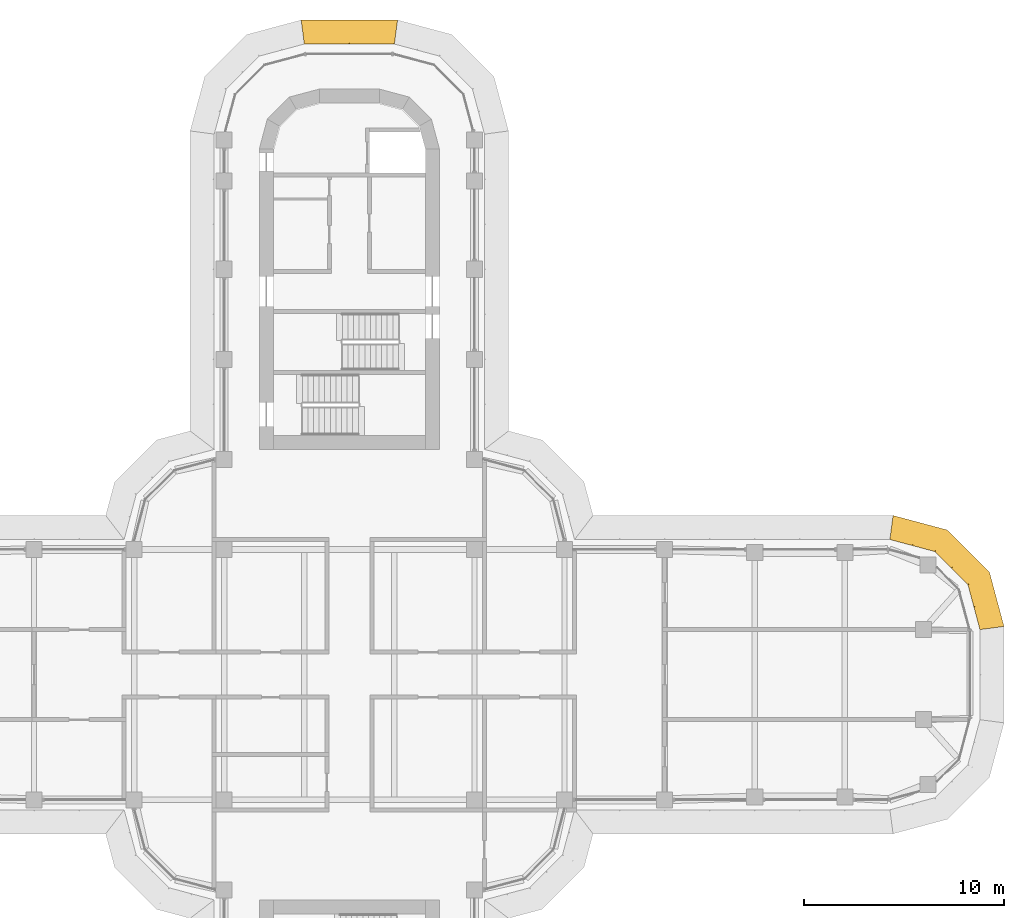
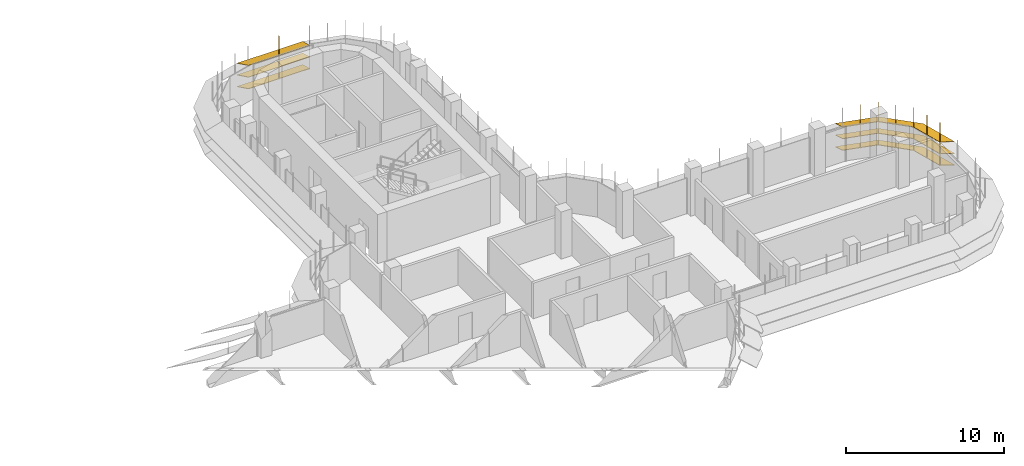
# One storey, part 19 of 19: 2 shading devices.
"""IFC4 building model written with IfcOpenShell, lengths in metres."""

import ifcopenshell
import ifcopenshell.guid

model = None  # the IFC model being written
_history = None  # IfcOwnerHistory: only IFC2X3 demands one
_inside = {}  # id of a spatial element -> (the spatial element, [elements in it])
_under = {}  # id of a project, library or spatial element -> (it, [spatial elements below it])
_declared = {}  # id of a project -> (the project, [libraries it declares])
_typed = {}  # id of a type object -> (the type object, [elements of that type])
_made_of = {}  # id of a material, layer set ... -> (it, [elements and type objects made of it])


def new_model(schema):
    """Start an empty IFC model of exactly this schema.

    Asked for "IFC4X3", IfcOpenShell would pick the latest addendum, in which some entities
    have other attributes; the version numbers below select the first issue.
    IFC2X3 requires an IfcOwnerHistory on every rooted entity: one is made here for all.
    """
    global model, _history
    if schema == "IFC4X3":
        model = ifcopenshell.file(schema_version=(4, 3, 0, 0))
    else:
        model = ifcopenshell.file(schema=schema)
    _inside.clear()
    _under.clear()
    _declared.clear()
    _typed.clear()
    _made_of.clear()
    _history = None
    if model.schema == "IFC2X3":
        org = make("IfcOrganization", Name="unknown")
        user = make(
            "IfcPersonAndOrganization",
            ThePerson=make("IfcPerson", FamilyName="unknown"),
            TheOrganization=org,
        )
        app = make(
            "IfcApplication",
            ApplicationDeveloper=org,
            Version="unknown",
            ApplicationFullName="unknown",
            ApplicationIdentifier="unknown",
        )
        _history = make(
            "IfcOwnerHistory",
            OwningUser=user,
            OwningApplication=app,
            ChangeAction="ADDED",
            CreationDate=0,
        )
    return model


def make(cls, **values):
    """One entity of the class cls with the attributes given. An attribute that is None is left unset."""
    return model.create_entity(
        cls, **{name: value for name, value in values.items() if value is not None}
    )


def rooted(cls, **values):
    """An entity with a GlobalId (a new one), such as an element, a storey or a relation."""
    return make(cls, GlobalId=ifcopenshell.guid.new(), OwnerHistory=_history, **values)


def si_unit(unit_type, name, prefix=None):
    """IfcSIUnit, for example si_unit("LENGTHUNIT", "METRE", prefix="MILLI")."""
    return make("IfcSIUnit", UnitType=unit_type, Prefix=prefix, Name=name)


def assignment(units):
    """IfcUnitAssignment: the units of a project."""
    return None if units is None else make("IfcUnitAssignment", Units=units)


def point(xyz):
    """IfcCartesianPoint."""
    return None if xyz is None else make("IfcCartesianPoint", Coordinates=xyz)


def direction(xyz):
    """IfcDirection."""
    return None if xyz is None else make("IfcDirection", DirectionRatios=xyz)


def frame(location, z_axis=None, x_axis=None):
    """IfcAxis2Placement3D, a coordinate frame: its origin and axes. An axis left out is left unset."""
    return make(
        "IfcAxis2Placement3D",
        Location=point(location),
        Axis=direction(z_axis),
        RefDirection=direction(x_axis),
    )


def origin():
    """The frame at (0, 0, 0) with its axes left unset."""
    return frame((0.0, 0.0, 0.0))


def place(relative_to, where):
    """IfcLocalPlacement: puts the frame where relative to a parent placement (None: the world)."""
    return make(
        "IfcLocalPlacement", PlacementRelTo=relative_to, RelativePlacement=where
    )


def context(
    kind, dimensions, precision=None, world=None, true_north=None, identifier=None
):
    """IfcGeometricRepresentationContext, for example the 3D "Model" context."""
    return make(
        "IfcGeometricRepresentationContext",
        ContextIdentifier=identifier,
        ContextType=kind,
        CoordinateSpaceDimension=dimensions,
        Precision=precision,
        WorldCoordinateSystem=world,
        TrueNorth=true_north,
    )


def subcontext(parent, identifier, kind, view, scale=None):
    """IfcGeometricRepresentationSubContext, for example "Body" below "Model"."""
    return make(
        "IfcGeometricRepresentationSubContext",
        ContextIdentifier=identifier,
        ContextType=kind,
        ParentContext=parent,
        TargetScale=scale,
        TargetView=view,
    )


def project(units=None, contexts=None):
    """IfcProject with its units and contexts."""
    return rooted(
        "IfcProject",
        Name="project",
        RepresentationContexts=contexts,
        UnitsInContext=assignment(units),
    )


def spatial(cls, under=None, at=None, **own):
    """A site, building, storey or space (cls), placed at a placement, below another one or the project."""
    s = rooted(cls, ObjectPlacement=at, **own)
    if under is not None:
        _under.setdefault(under.id(), (under, []))[1].append(s)
    return s


def polyline(points):
    """IfcPolyline through the points."""
    return make("IfcPolyline", Points=[point(p) for p in points])


def outline(outer, holes=None, kind="AREA"):
    """IfcArbitraryClosedProfileDef: a profile drawn as a closed curve; with holes, ...WithVoids."""
    if holes is None:
        return make("IfcArbitraryClosedProfileDef", ProfileType=kind, OuterCurve=outer)
    return make(
        "IfcArbitraryProfileDefWithVoids",
        ProfileType=kind,
        OuterCurve=outer,
        InnerCurves=holes,
    )


def extrude(swept, where, along, depth):
    """IfcExtrudedAreaSolid: the profile swept, set in the frame where, extruded along a direction by depth."""
    return make(
        "IfcExtrudedAreaSolid",
        SweptArea=swept,
        Position=where,
        ExtrudedDirection=direction(along),
        Depth=depth,
    )


def faces_of(points, faces, orient=None, outer=None):
    """IfcFace entities. A face is a list of loops; a loop is a list of indices into points, from 0.

    orient and outer hold one flag for each loop. By default every Orientation is true, the
    first loop of a face is its IfcFaceOuterBound and the others are IfcFaceBound.
    """
    made = []
    for i, loops in enumerate(faces):
        bounds = []
        for j, loop in enumerate(loops):
            is_outer = j == 0 if outer is None else outer[i][j]
            bounds.append(
                make(
                    "IfcFaceOuterBound" if is_outer else "IfcFaceBound",
                    Bound=make("IfcPolyLoop", Polygon=[points[k] for k in loop]),
                    Orientation=True if orient is None else orient[i][j],
                )
            )
        made.append(make("IfcFace", Bounds=bounds))
    return made


def faceted_brep(points, faces, orient=None, outer=None, voids=None):
    """IfcFacetedBrep: a solid bounded by flat faces; with voids (closed shells), ...WithVoids."""
    shared = [point(p) for p in points]
    hull = make("IfcClosedShell", CfsFaces=faces_of(shared, faces, orient, outer))
    if voids is None:
        return make("IfcFacetedBrep", Outer=hull)
    return make(
        "IfcFacetedBrepWithVoids",
        Outer=hull,
        Voids=[
            make(cls, CfsFaces=faces_of(shared, fs, o, b)) for cls, fs, o, b in voids
        ],
    )


def shape(context_of_items, identifier, shape_type, items):
    """IfcShapeRepresentation: the items that make up one representation, for example the "Body"."""
    return make(
        "IfcShapeRepresentation",
        ContextOfItems=context_of_items,
        RepresentationIdentifier=identifier,
        RepresentationType=shape_type,
        Items=items,
    )


def source(mapping_origin, context_of_items, identifier, shape_type, items):
    """IfcRepresentationMap: a shape defined once, which mapped items show again and again."""
    return make(
        "IfcRepresentationMap",
        MappingOrigin=mapping_origin,
        MappedRepresentation=shape(context_of_items, identifier, shape_type, items),
    )


def transform(
    local_origin,
    x_axis=None,
    y_axis=None,
    z_axis=None,
    scale=None,
    scale2=None,
    scale3=None,
    uniform=True,
):
    """IfcCartesianTransformationOperator3D, or its non-uniform kind. x_axis, y_axis, z_axis: its Axis1, 2, 3."""
    if uniform:
        return make(
            "IfcCartesianTransformationOperator3D",
            Axis1=direction(x_axis),
            Axis2=direction(y_axis),
            LocalOrigin=point(local_origin),
            Scale=scale,
            Axis3=direction(z_axis),
        )
    return make(
        "IfcCartesianTransformationOperator3DnonUniform",
        Axis1=direction(x_axis),
        Axis2=direction(y_axis),
        LocalOrigin=point(local_origin),
        Scale=scale,
        Axis3=direction(z_axis),
        Scale2=scale2,
        Scale3=scale3,
    )


def mapped(mapping_source, mapping_target):
    """IfcMappedItem: shows the shape of a source again, moved by a transform."""
    return make(
        "IfcMappedItem", MappingSource=mapping_source, MappingTarget=mapping_target
    )


def material(Name=None, Category=None):
    """IfcMaterial."""
    return make("IfcMaterial", Name=Name, Category=Category)


def made_of(thing, what):
    """Note that an element or type object is made of a material, layer set ...; save() writes the relation."""
    if what is not None:
        _made_of.setdefault(what.id(), (what, []))[1].append(thing)
    return thing


def type_object(cls, material=None, **own):
    """A type object (cls), such as IfcWallType, which elements share."""
    return made_of(rooted(cls, **own), material)


def element(
    cls,
    number,
    at=None,
    inside=None,
    cuts=None,
    type_object=None,
    material=None,
    context=None,
    identifier="Body",
    shape_type=None,
    held_by="IfcProductDefinitionShape",
    body=None,
    shapes=None,
    **own,
):
    """One element of the class cls, such as IfcWall. Its Tag is "e" and its number.

    at: its placement. inside: the storey or other place that contains it. cuts: it is an
    opening in that element (IfcRelVoidsElement). A single representation is given by context,
    identifier, shape_type and body (its items); several are given by shapes. held_by: the class
    of the entity that holds the representations. save() writes the other relations.
    """
    e = rooted(cls, Tag="e%d" % number, ObjectPlacement=at, **own)
    if body is not None:
        shapes = [shape(context, identifier, shape_type, body)]
    if shapes is not None:
        e.Representation = make(held_by, Representations=shapes)
    if inside is not None:
        _inside.setdefault(inside.id(), (inside, []))[1].append(e)
    if cuts is not None:
        rooted(
            "IfcRelVoidsElement", RelatingBuildingElement=cuts, RelatedOpeningElement=e
        )
    if type_object is not None:
        _typed.setdefault(type_object.id(), (type_object, []))[1].append(e)
    return made_of(e, material)


def aggregate(whole, parts):
    """IfcRelAggregates: a whole, such as a stair, and the parts it consists of."""
    return rooted("IfcRelAggregates", RelatingObject=whole, RelatedObjects=parts)


def save(model, path):
    """Write the relations noted so far, then the file.

    IfcRelAggregates (storeys below a building ...), IfcRelContainedInSpatialStructure (elements
    in a storey), IfcRelDefinesByType, IfcRelAssociatesMaterial and IfcRelDeclares: one each for
    every whole, place, type object, material and project.
    """
    for whole, parts in _under.values():
        aggregate(whole, parts)
    for where, things in _inside.values():
        rooted(
            "IfcRelContainedInSpatialStructure",
            RelatedElements=things,
            RelatingStructure=where,
        )
    for kind, things in _typed.values():
        rooted("IfcRelDefinesByType", RelatedObjects=things, RelatingType=kind)
    for what, things in _made_of.values():
        rooted("IfcRelAssociatesMaterial", RelatedObjects=things, RelatingMaterial=what)
    for by, libraries in _declared.values():
        rooted("IfcRelDeclares", RelatingContext=by, RelatedDefinitions=libraries)
    model.write(path)


model = new_model("IFC4")

# Units and contexts
model_context = context("Model", 3, precision=1e-05, world=origin(), true_north=direction((0.0, 1.0)))
body_context = subcontext(model_context, "Body", "Model", "MODEL_VIEW")
ifc_project = project(units=[si_unit("LENGTHUNIT", "METRE"), si_unit("AREAUNIT", "SQUARE_METRE"), si_unit("VOLUMEUNIT", "CUBIC_METRE"), si_unit("PLANEANGLEUNIT", "RADIAN"), si_unit("MASSUNIT", "GRAM", prefix="KILO")], contexts=[model_context])

# Site, building, storey
site_placement = place(None, origin())
site = spatial("IfcSite", under=ifc_project, at=site_placement, CompositionType="ELEMENT")
building_placement = place(site_placement, origin())
building = spatial("IfcBuilding", under=site, at=building_placement, Name="Zarbagh Exchange Tower", CompositionType="ELEMENT")
storey_placement = place(building_placement, frame((0.0, 0.0, 171.39990234375)))
storey = spatial("IfcBuildingStorey", under=building, at=storey_placement, Name="L41", CompositionType="ELEMENT", Elevation=171.39990234375)

# Shading devices
ifc_material = material(Name="Anodised aluminium blades and brackets", Category="aluminium")
shading_device_type = type_object("IfcShadingDeviceType", Name="SUNSHADE louvre band, 22.5 degree blades", PredefinedType="JALOUSIE", material=ifc_material)
shared_shape_1 = source(origin(), body_context, "Body", "Brep", [
    faceted_brep([(0.0, 0.0, 0.0), (0.0, 0.0, -0.043212890625), (-0.157958984375, -1.199951171875, -0.540283203125), (-0.157958984375, -1.199951171875, -0.4970703125), (2.65087890625, -1.199951171875, -0.4970703125), (2.65087890625, -1.199951171875, -0.540283203125), (2.329345703125, 0.0, -0.043212890625), (2.329345703125, 0.0, 0.0)], [[[0, 1, 2, 3]], [[4, 5, 6, 7]], [[0, 7, 6, 1]], [[1, 6, 5, 2]], [[2, 5, 4, 3]], [[3, 4, 7, 0]]]),
])
shared_shape_2 = source(origin(), body_context, "Body", "Brep", [
    faceted_brep([(0.0, 0.0, 0.0), (0.0, 0.0, -0.043212890625), (-0.321533203125, -1.199951171875, -0.540283203125), (-0.321533203125, -1.199951171875, -0.4970703125), (2.65087890625, -1.199951171875, -0.4970703125), (2.65087890625, -1.199951171875, -0.540283203125), (2.329345703125, 0.0, -0.043212890625), (2.329345703125, 0.0, 0.0)], [[[0, 1, 2, 3]], [[4, 5, 6, 7]], [[0, 7, 6, 1]], [[1, 6, 5, 2]], [[2, 5, 4, 3]], [[3, 4, 7, 0]]]),
])
shared_shape_3 = source(origin(), body_context, "Body", "Brep", [
    faceted_brep([(0.0, 0.0, 0.0), (0.0, 0.0, -0.043212890625), (-0.321533203125, -1.199951171875, -0.540283203125), (-0.321533203125, -1.199951171875, -0.4970703125), (2.4873046875, -1.199951171875, -0.4970703125), (2.4873046875, -1.199951171875, -0.540283203125), (2.329345703125, 0.0, -0.043212890625), (2.329345703125, 0.0, 0.0)], [[[0, 1, 2, 3]], [[4, 5, 6, 7]], [[0, 7, 6, 1]], [[1, 6, 5, 2]], [[2, 5, 4, 3]], [[3, 4, 7, 0]]]),
])
shared_shape_4 = source(origin(), body_context, "Body", "SweptSolid", [
    extrude(outline(polyline([(0.0, -0.012451171875), (0.06005859375, -0.012451171875), (0.06005859375, 0.012451171875), (0.0, 0.012451171875), (0.0, -0.012451171875)])), origin(), (0.0, 0.0, 1.0), 3.353271484375),
])
placement = place(storey_placement, origin())
element("IfcShadingDevice", 1, at=placement, inside=storey, type_object=shading_device_type, Name="SS33 sunshade band", PredefinedType="JALOUSIE", context=body_context, shape_type="MappedRepresentation", body=[
    mapped(shared_shape_1, transform((31.5, 2.25, 2.300048828125), x_axis=(-0.258824779902, 0.965924289636, 0.0), y_axis=(-0.965924289636, -0.258824779902, 0.0), z_axis=(0.0, 0.0, 1.0))),
    mapped(shared_shape_1, transform((31.5, 2.25, 1.400146484375), x_axis=(-0.258824779902, 0.965924289636, 0.0), y_axis=(-0.965924289636, -0.258824779902, 0.0), z_axis=(0.0, 0.0, 1.0))),
    mapped(shared_shape_1, transform((31.5, 2.25, 0.5), x_axis=(-0.258824779902, 0.965924289636, 0.0), y_axis=(-0.965924289636, -0.258824779902, 0.0), z_axis=(0.0, 0.0, 1.0))),
    mapped(shared_shape_2, transform((30.897216796875, 4.5, 2.300048828125), x_axis=(-0.707106781187, 0.707106781187, 0.0), y_axis=(-0.707106781187, -0.707106781187, 0.0), z_axis=(0.0, 0.0, 1.0))),
    mapped(shared_shape_2, transform((30.897216796875, 4.5, 1.400146484375), x_axis=(-0.707106781187, 0.707106781187, 0.0), y_axis=(-0.707106781187, -0.707106781187, 0.0), z_axis=(0.0, 0.0, 1.0))),
    mapped(shared_shape_2, transform((30.897216796875, 4.5, 0.5), x_axis=(-0.707106781187, 0.707106781187, 0.0), y_axis=(-0.707106781187, -0.707106781187, 0.0), z_axis=(0.0, 0.0, 1.0))),
    mapped(shared_shape_3, transform((29.25, 6.147216796875, 2.300048828125), x_axis=(-0.965924289636, 0.258824779902, 0.0), y_axis=(-0.258824779902, -0.965924289636, 0.0), z_axis=(0.0, 0.0, 1.0))),
    mapped(shared_shape_3, transform((29.25, 6.147216796875, 1.400146484375), x_axis=(-0.965924289636, 0.258824779902, 0.0), y_axis=(-0.258824779902, -0.965924289636, 0.0), z_axis=(0.0, 0.0, 1.0))),
    mapped(shared_shape_3, transform((29.25, 6.147216796875, 0.5), x_axis=(-0.965924289636, 0.258824779902, 0.0), y_axis=(-0.258824779902, -0.965924289636, 0.0), z_axis=(0.0, 0.0, 1.0))),
    mapped(shared_shape_4, transform((31.5, 2.25, 0.4267578125), x_axis=(0.991444457092, 0.130529263012, 0.0), y_axis=(-0.130529263012, 0.991444457092, 0.0), z_axis=(0.0, 0.0, 1.0))),
    mapped(shared_shape_4, transform((31.198486328125, 3.375, 0.4267578125), x_axis=(0.96592421511, 0.258825058029, 0.0), y_axis=(-0.258825058029, 0.96592421511, 0.0), z_axis=(0.0, 0.0, 1.0))),
    mapped(shared_shape_4, transform((30.897216796875, 4.5, 0.4267578125), x_axis=(0.866023812018, 0.50000275701, 0.0), y_axis=(-0.50000275701, 0.866023812018, 0.0), z_axis=(0.0, 0.0, 1.0))),
    mapped(shared_shape_4, transform((30.073486328125, 5.323486328125, 0.4267578125), x_axis=(0.707106781187, 0.707106781187, 0.0), y_axis=(-0.707106781187, 0.707106781187, 0.0), z_axis=(0.0, 0.0, 1.0))),
    mapped(shared_shape_4, transform((29.25, 6.147216796875, 0.4267578125), x_axis=(0.50000275701, 0.866023812018, 0.0), y_axis=(-0.866023812018, 0.50000275701, 0.0), z_axis=(0.0, 0.0, 1.0))),
    mapped(shared_shape_4, transform((28.125, 6.448486328125, 0.4267578125), x_axis=(0.258825058029, 0.96592421511, 0.0), y_axis=(-0.96592421511, 0.258825058029, 0.0), z_axis=(0.0, 0.0, 1.0))),
])
shared_shape_5 = source(origin(), body_context, "Body", "Brep", [
    faceted_brep([(0.0, 0.0, 0.0), (0.0, 0.0, -0.043212890625), (-0.157958984375, -1.199951171875, -0.540283203125), (-0.157958984375, -1.199951171875, -0.4970703125), (4.657958984375, -1.199951171875, -0.4970703125), (4.657958984375, -1.199951171875, -0.540283203125), (4.5, 0.0, -0.043212890625), (4.5, 0.0, 0.0)], [[[0, 1, 2, 3]], [[4, 5, 6, 7]], [[0, 7, 6, 1]], [[1, 6, 5, 2]], [[2, 5, 4, 3]], [[3, 4, 7, 0]]]),
])
element("IfcShadingDevice", 2, at=placement, inside=storey, type_object=shading_device_type, Name="SS27 sunshade band", PredefinedType="JALOUSIE", context=body_context, shape_type="MappedRepresentation", body=[
    mapped(shared_shape_5, transform((2.25, 31.5, 2.300048828125), x_axis=(-1.0, 0.0, 0.0), y_axis=(0.0, -1.0, 0.0), z_axis=(0.0, 0.0, 1.0))),
    mapped(shared_shape_5, transform((2.25, 31.5, 1.400146484375), x_axis=(-1.0, 0.0, 0.0), y_axis=(0.0, -1.0, 0.0), z_axis=(0.0, 0.0, 1.0))),
    mapped(shared_shape_5, transform((2.25, 31.5, 0.5), x_axis=(-1.0, 0.0, 0.0), y_axis=(0.0, -1.0, 0.0), z_axis=(0.0, 0.0, 1.0))),
    mapped(shared_shape_4, transform((2.25, 31.5, 0.4267578125), x_axis=(0.130529263012, 0.991444457092, 0.0), y_axis=(-0.991444457092, 0.130529263012, 0.0), z_axis=(0.0, 0.0, 1.0))),
    mapped(shared_shape_4, transform((0.0, 31.5, 0.4267578125), x_axis=(0.0, 1.0, 0.0), y_axis=(-1.0, 0.0, 0.0), z_axis=(0.0, 0.0, 1.0))),
])

save(model, "model.ifc")
